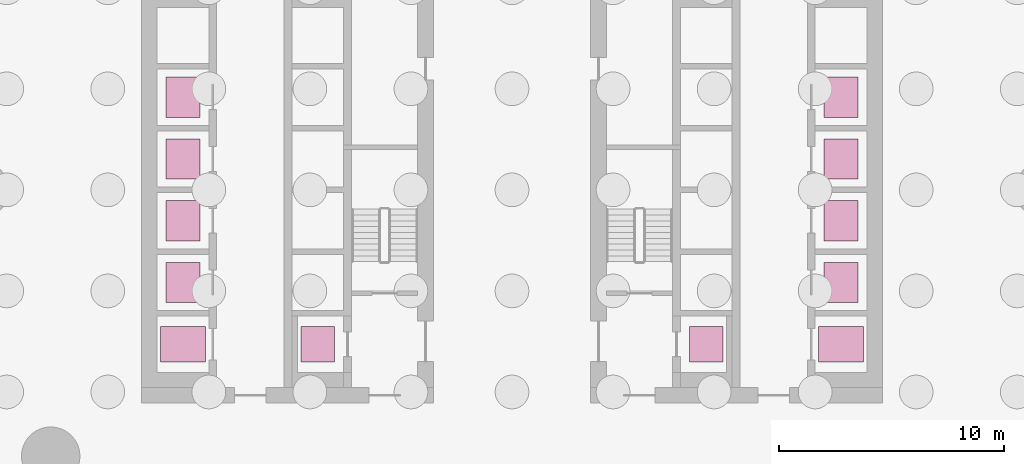
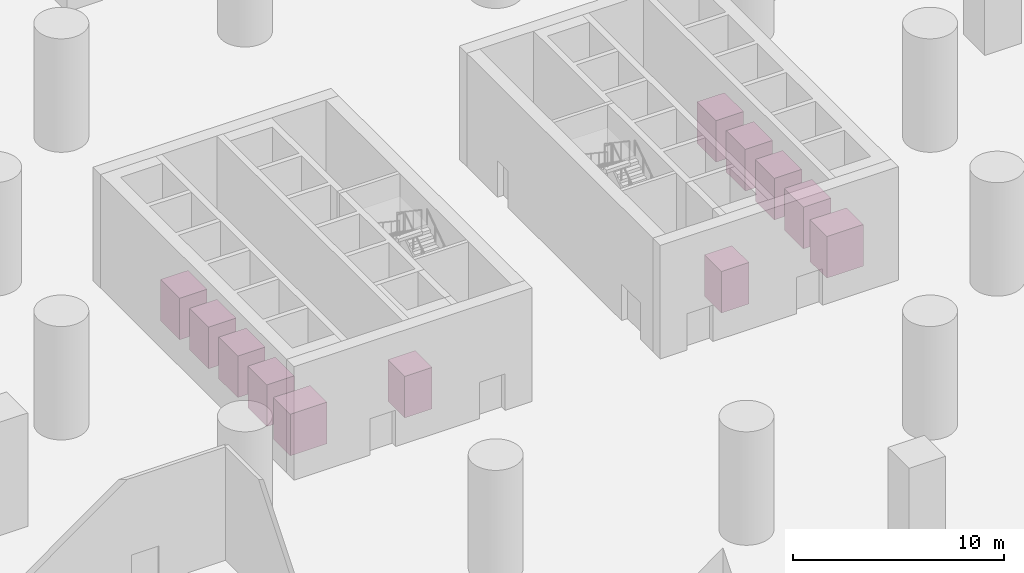
# One storey, part 13 of 13: 12 transport elements.
"""IFC4 building model written with IfcOpenShell, lengths in metres."""

from ifc_helpers import new_model, si_unit, direction, frame, origin, origin_2d, place, context, subcontext, project, spatial, rectangle, extrude, material, type_object, element, save


model = new_model("IFC4")

# Units and contexts
model_context = context("Model", 3, precision=1e-05, world=origin(), true_north=direction((0.0, 1.0)))
body_context = subcontext(model_context, "Body", "Model", "MODEL_VIEW")
ifc_project = project(units=[si_unit("LENGTHUNIT", "METRE"), si_unit("AREAUNIT", "SQUARE_METRE"), si_unit("VOLUMEUNIT", "CUBIC_METRE"), si_unit("PLANEANGLEUNIT", "RADIAN"), si_unit("MASSUNIT", "GRAM", prefix="KILO")], contexts=[model_context])

# Site, building, storey
site_placement = place(None, origin())
site = spatial("IfcSite", under=ifc_project, at=site_placement, CompositionType="ELEMENT")
building_placement = place(site_placement, origin())
building = spatial("IfcBuilding", under=site, at=building_placement, Name="Tamarind Cross Interchange Tower", CompositionType="ELEMENT")
storey_placement = place(building_placement, frame((0.0, 0.0, -21.0)))
storey = spatial("IfcBuildingStorey", under=building, at=storey_placement, Name="B3", CompositionType="ELEMENT", Elevation=-21.0)

# Transport elements
ifc_material_1 = material(Name="Fire-fighting lift car 1600 x 1500")
transport_element_type_1 = type_object("IfcTransportElementType", Name="Fire-fighting lift car 1600 x 1500", PredefinedType="ELEVATOR", material=ifc_material_1)
for number, where, z_axis, x_axis, name in (
    (1, (-8.64990234375, -6.875, 0.0), (0.0, 0.0, 1.0), (1.0, 0.0, 0.0), "Fire-fighting lift FF1 LF7"),
    (2, (8.64990234375, -6.875, 0.0), (0.0, 0.0, 1.0), (1.0, 0.0, 0.0), "Fire-fighting lift FF2 LF19"),
):
    element("IfcTransportElement", number, at=place(storey_placement, frame(where, z_axis=z_axis, x_axis=x_axis)), inside=storey, type_object=transport_element_type_1, Name=name, PredefinedType="ELEVATOR", context=body_context, shape_type="SweptSolid", body=[
        extrude(rectangle(XDim=1.5, YDim=1.60009765625, at=origin_2d()), origin(), (0.0, 0.0, 1.0), 2.39990234375),
    ])
ifc_material_2 = material(Name="Low-rise passenger lift car 1800 x 1500")
transport_element_type_2 = type_object("IfcTransportElementType", Name="Low-rise passenger lift car 1800 x 1500", PredefinedType="ELEVATOR", material=ifc_material_2)
for number, where, z_axis, x_axis, name in (
    (3, (-14.64990234375, -4.125, 0.0), (0.0, 0.0, 1.0), (1.0, 0.0, 0.0), "Low-rise passenger lift LR1 LF2"),
    (4, (-14.64990234375, -1.375, 0.0), (0.0, 0.0, 1.0), (1.0, 0.0, 0.0), "Low-rise passenger lift LR2 LF3"),
    (5, (-14.64990234375, 1.375, 0.0), (0.0, 0.0, 1.0), (1.0, 0.0, 0.0), "Low-rise passenger lift LR3 LF4"),
    (6, (-14.64990234375, 4.125, 0.0), (0.0, 0.0, 1.0), (1.0, 0.0, 0.0), "Low-rise passenger lift LR4 LF5"),
    (7, (14.64990234375, -4.125, 0.0), (0.0, 0.0, 1.0), (1.0, 0.0, 0.0), "Low-rise passenger lift LR5 LF14"),
    (8, (14.64990234375, -1.375, 0.0), (0.0, 0.0, 1.0), (1.0, 0.0, 0.0), "Low-rise passenger lift LR6 LF15"),
    (9, (14.64990234375, 1.375, 0.0), (0.0, 0.0, 1.0), (1.0, 0.0, 0.0), "Low-rise passenger lift LR7 LF16"),
    (10, (14.64990234375, 4.125, 0.0), (0.0, 0.0, 1.0), (1.0, 0.0, 0.0), "Low-rise passenger lift LR8 LF17"),
):
    element("IfcTransportElement", number, at=place(storey_placement, frame(where, z_axis=z_axis, x_axis=x_axis)), inside=storey, type_object=transport_element_type_2, Name=name, PredefinedType="ELEVATOR", context=body_context, shape_type="SweptSolid", body=[
        extrude(rectangle(XDim=1.5, YDim=1.800048828125, at=origin_2d()), origin(), (0.0, 0.0, 1.0), 2.39990234375),
    ])
ifc_material_3 = material(Name="Service and goods lift car 1600 x 2000")
transport_element_type_3 = type_object("IfcTransportElementType", Name="Service and goods lift car 1600 x 2000", PredefinedType="ELEVATOR", material=ifc_material_3)
for number, where, z_axis, x_axis, name in (
    (11, (-14.64990234375, -6.875, 0.0), (0.0, 0.0, 1.0), (1.0, 0.0, 0.0), "Service and goods lift SV1 LF1"),
    (12, (14.64990234375, -6.875, 0.0), (0.0, 0.0, 1.0), (1.0, 0.0, 0.0), "Service and goods lift SV2 LF13"),
):
    element("IfcTransportElement", number, at=place(storey_placement, frame(where, z_axis=z_axis, x_axis=x_axis)), inside=storey, type_object=transport_element_type_3, Name=name, PredefinedType="ELEVATOR", context=body_context, shape_type="SweptSolid", body=[
        extrude(rectangle(XDim=2.0, YDim=1.60009765625, at=origin_2d()), origin(), (0.0, 0.0, 1.0), 2.39990234375),
    ])

save(model, "model.ifc")
